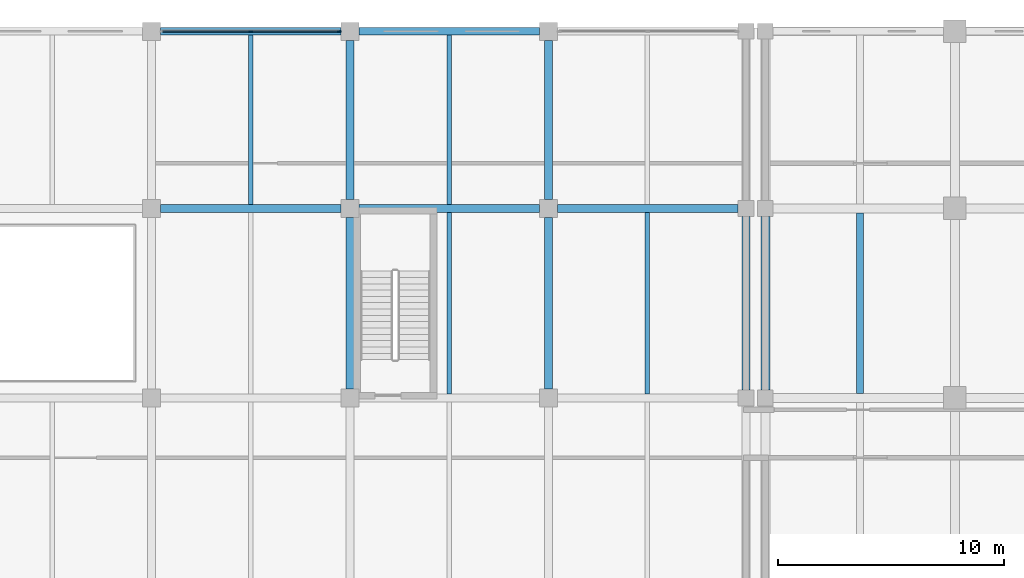
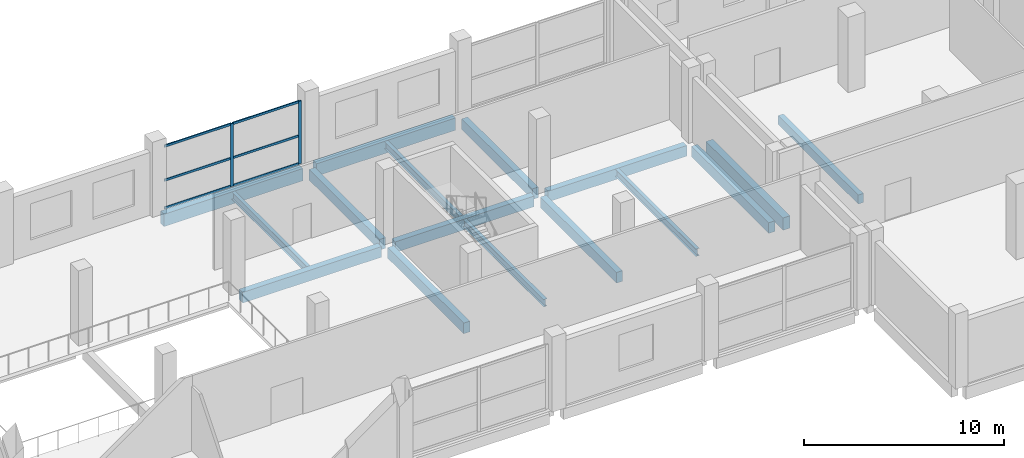
# One storey, part 13 of 31: 16 beams, 8 members, 1 element without a shape of its own.
"""IFC4 building model written with IfcOpenShell, lengths in metres."""

from ifc_helpers import new_model, si_unit, direction, frame, origin, origin_2d, place, context, subcontext, project, spatial, rectangle, i_section, extrude, material, material_profile, profile_set, type_object, element, aggregate, save


model = new_model("IFC4")

# Units and contexts
model_context = context("Model", 3, precision=1e-05, world=origin(), true_north=direction((0.0, 1.0)))
body_context = subcontext(model_context, "Body", "Model", "MODEL_VIEW")
ifc_project = project(units=[si_unit("LENGTHUNIT", "METRE"), si_unit("AREAUNIT", "SQUARE_METRE"), si_unit("VOLUMEUNIT", "CUBIC_METRE"), si_unit("PLANEANGLEUNIT", "RADIAN"), si_unit("MASSUNIT", "GRAM", prefix="KILO")], contexts=[model_context])

# Site, building, storey
site_placement = place(None, origin())
site = spatial("IfcSite", under=ifc_project, at=site_placement, CompositionType="ELEMENT")
building_placement = place(site_placement, origin())
building = spatial("IfcBuilding", under=site, at=building_placement, Name="Brinegate Botanical Conservatory", CompositionType="ELEMENT")
storey_placement = place(building_placement, frame((0.0, 0.0, 5.39990234375)))
storey = spatial("IfcBuildingStorey", under=building, at=storey_placement, Name="L02", CompositionType="ELEMENT", Elevation=5.39990234375)

# Beams
ifc_material_1 = material(Name="Concrete C50/60", Category="concrete")
ifc_material_profile_1 = material_profile(ifc_material_1, rectangle(XDim=0.39990234375, YDim=0.75, at=origin_2d()), Name="RC BM 400x750")
ifc_profile_set_1 = profile_set([ifc_material_profile_1], Name="Concrete C50/60")
beam_type_1 = type_object("IfcBeamType", Name="Beam_BM-T1", PredefinedType="BEAM", material=ifc_profile_set_1)
beam_1_placement = place(storey_placement, frame((122.0, 95.550048828125, -0.594970703125), z_axis=(0.0, 1.0, 0.0), x_axis=(-1.0, 0.0, 0.0)))
element("IfcBeam", 1, at=beam_1_placement, inside=storey, type_object=beam_type_1, Name="Beam BM-T1 L02 16:M-N", PredefinedType="BEAM", context=body_context, shape_type="SweptSolid", body=[
    extrude(rectangle(XDim=0.39990234375, YDim=0.75, at=origin_2d()), origin(), (0.0, 0.0, 1.0), 7.699951171875),
])
ifc_material_2 = material(Name="Concrete C40/50", Category="concrete")
ifc_material_profile_2 = material_profile(ifc_material_2, rectangle(XDim=0.35009765625, YDim=0.64990234375, at=origin_2d()), Name="RC BM 350x650")
ifc_profile_set_2 = profile_set([ifc_material_profile_2], Name="Concrete C40/50")
beam_type_2 = type_object("IfcBeamType", Name="Beam_BM-V3", PredefinedType="BEAM", material=ifc_profile_set_2)
for number, where, z_axis, x_axis, name in (
    (2, (95.199951171875, 103.60009765625, -0.544921875), (1.0, 0.0, 0.0), (0.0, 1.0, 0.0), "Beam BM-V3 L02 N:12-13"),
    (3, (104.0, 103.60009765625, -0.544921875), (1.0, 0.0, 0.0), (0.0, 1.0, 0.0), "Beam BM-V3 L02 N:13-14"),
    (4, (112.800048828125, 103.60009765625, -0.544921875), (1.0, 0.0, 0.0), (0.0, 1.0, 0.0), "Beam BM-V3 L02 N:14-15"),
):
    element("IfcBeam", number, at=place(storey_placement, frame(where, z_axis=z_axis, x_axis=x_axis)), inside=storey, type_object=beam_type_2, Name=name, PredefinedType="BEAM", context=body_context, shape_type="SweptSolid", body=[
        extrude(rectangle(XDim=0.35009765625, YDim=0.64990234375, at=origin_2d()), origin(), (0.0, 0.0, 1.0), 8.0),
    ])
beam_2_placement = place(storey_placement, frame((103.60009765625, 95.60009765625, -0.544921875), z_axis=(0.0, 1.0, 0.0), x_axis=(-1.0, 0.0, 0.0)))
element("IfcBeam", 5, at=beam_2_placement, inside=storey, type_object=beam_type_2, Name="Beam BM-V3 L02 13:M-N", PredefinedType="BEAM", context=body_context, shape_type="SweptSolid", body=[
    extrude(rectangle(XDim=0.35009765625, YDim=0.64990234375, at=origin_2d()), origin(), (0.0, 0.0, 1.0), 7.599853515625),
])
beam_3_placement = place(storey_placement, frame((103.60009765625, 104.0, -0.544921875), z_axis=(0.0, 1.0, 0.0), x_axis=(-1.0, 0.0, 0.0)))
element("IfcBeam", 6, at=beam_3_placement, inside=storey, type_object=beam_type_2, Name="Beam BM-V3 L02 13:N-P", PredefinedType="BEAM", context=body_context, shape_type="SweptSolid", body=[
    extrude(rectangle(XDim=0.35009765625, YDim=0.64990234375, at=origin_2d()), origin(), (0.0, 0.0, 1.0), 7.050048828125),
])
beam_4_placement = place(storey_placement, frame((112.39990234375, 95.60009765625, -0.544921875), z_axis=(0.0, 1.0, 0.0), x_axis=(-1.0, 0.0, 0.0)))
element("IfcBeam", 7, at=beam_4_placement, inside=storey, type_object=beam_type_2, Name="Beam BM-V3 L02 14:M-N", PredefinedType="BEAM", context=body_context, shape_type="SweptSolid", body=[
    extrude(rectangle(XDim=0.35009765625, YDim=0.64990234375, at=origin_2d()), origin(), (0.0, 0.0, 1.0), 7.599853515625),
])
beam_5_placement = place(storey_placement, frame((112.39990234375, 104.0, -0.544921875), z_axis=(0.0, 1.0, 0.0), x_axis=(-1.0, 0.0, 0.0)))
element("IfcBeam", 8, at=beam_5_placement, inside=storey, type_object=beam_type_2, Name="Beam BM-V3 L02 14:N-P", PredefinedType="BEAM", context=body_context, shape_type="SweptSolid", body=[
    extrude(rectangle(XDim=0.35009765625, YDim=0.64990234375, at=origin_2d()), origin(), (0.0, 0.0, 1.0), 7.050048828125),
])
beam_6_placement = place(storey_placement, frame((121.14990234375, 95.550048828125, -0.544921875), z_axis=(0.0, 1.0, 0.0), x_axis=(-1.0, 0.0, 0.0)))
element("IfcBeam", 9, at=beam_6_placement, inside=storey, type_object=beam_type_2, Name="Beam BM-V3 L02 15:M-N", PredefinedType="BEAM", context=body_context, shape_type="SweptSolid", body=[
    extrude(rectangle(XDim=0.35009765625, YDim=0.64990234375, at=origin_2d()), origin(), (0.0, 0.0, 1.0), 7.699951171875),
])
ifc_material_profile_3 = material_profile(ifc_material_2, rectangle(XDim=0.300048828125, YDim=0.550048828125, at=origin_2d()), Name="RC JST 300x550")
ifc_profile_set_3 = profile_set([ifc_material_profile_3], Name="Concrete C40/50")
beam_type_3 = type_object("IfcBeamType", Name="Beam_JS-C1", PredefinedType="JOIST", material=ifc_profile_set_3)
beam_7_placement = place(storey_placement, frame((126.199951171875, 95.39990234375, -0.494873046875), z_axis=(0.0, 1.0, 0.0), x_axis=(-1.0, 0.0, 0.0)))
element("IfcBeam", 10, at=beam_7_placement, inside=storey, type_object=beam_type_3, Name="Floor joist JS-C1 L02 bay 16.12", PredefinedType="JOIST", context=body_context, shape_type="SweptSolid", body=[
    extrude(rectangle(XDim=0.300048828125, YDim=0.550048828125, at=origin_2d()), origin(), (0.0, 0.0, 1.0), 8.0),
])
ifc_material_3 = material(Name="Structural steel Q355B / S355", Category="steel")
ifc_material_profile_4 = material_profile(ifc_material_3, i_section(OverallWidth=0.199951171875, OverallDepth=0.449951171875, WebThickness=0.009033203125, FlangeThickness=0.013916015625, at=origin_2d()), Name="HN 450x200x9x14")
ifc_profile_set_4 = profile_set([ifc_material_profile_4], Name="Structural steel Q355B / S355")
beam_type_4 = type_object("IfcBeamType", Name="Beam_JS-S1", PredefinedType="JOIST", material=ifc_profile_set_4)
beam_8_placement = place(storey_placement, frame((99.199951171875, 103.77490234375, -0.44482421875), z_axis=(0.0, 1.0, 0.0), x_axis=(-1.0, 0.0, 0.0)))
element("IfcBeam", 11, at=beam_8_placement, inside=storey, type_object=beam_type_4, Name="Floor joist JS-S1 L02 bay 12.13", PredefinedType="JOIST", context=body_context, shape_type="SweptSolid", body=[
    extrude(i_section(OverallWidth=0.199951171875, OverallDepth=0.449951171875, WebThickness=0.009033203125, FlangeThickness=0.013916015625, at=origin_2d()), origin(), (0.0, 0.0, 1.0), 7.5),
])
beam_9_placement = place(storey_placement, frame((108.0, 95.375, -0.44482421875), z_axis=(0.0, 1.0, 0.0), x_axis=(-1.0, 0.0, 0.0)))
element("IfcBeam", 12, at=beam_9_placement, inside=storey, type_object=beam_type_4, Name="Floor joist JS-S1 L02 bay 13.12", PredefinedType="JOIST", context=body_context, shape_type="SweptSolid", body=[
    extrude(i_section(OverallWidth=0.199951171875, OverallDepth=0.449951171875, WebThickness=0.009033203125, FlangeThickness=0.013916015625, at=origin_2d()), origin(), (0.0, 0.0, 1.0), 8.050048828125),
])
beam_10_placement = place(storey_placement, frame((108.0, 103.77490234375, -0.44482421875), z_axis=(0.0, 1.0, 0.0), x_axis=(-1.0, 0.0, 0.0)))
element("IfcBeam", 13, at=beam_10_placement, inside=storey, type_object=beam_type_4, Name="Floor joist JS-S1 L02 bay 13.13", PredefinedType="JOIST", context=body_context, shape_type="SweptSolid", body=[
    extrude(i_section(OverallWidth=0.199951171875, OverallDepth=0.449951171875, WebThickness=0.009033203125, FlangeThickness=0.013916015625, at=origin_2d()), origin(), (0.0, 0.0, 1.0), 7.5),
])
beam_11_placement = place(storey_placement, frame((116.77490234375, 95.375, -0.44482421875), z_axis=(0.0, 1.0, 0.0), x_axis=(-1.0, 0.0, 0.0)))
element("IfcBeam", 14, at=beam_11_placement, inside=storey, type_object=beam_type_4, Name="Floor joist JS-S1 L02 bay 14.12", PredefinedType="JOIST", context=body_context, shape_type="SweptSolid", body=[
    extrude(i_section(OverallWidth=0.199951171875, OverallDepth=0.449951171875, WebThickness=0.009033203125, FlangeThickness=0.013916015625, at=origin_2d()), origin(), (0.0, 0.0, 1.0), 8.050048828125),
])
ifc_material_profile_5 = material_profile(ifc_material_2, rectangle(XDim=0.35009765625, YDim=0.75, at=origin_2d()), Name="RC SPN 350x750")
ifc_profile_set_5 = profile_set([ifc_material_profile_5], Name="Concrete C40/50")
beam_type_5 = type_object("IfcBeamType", Name="Beam_SP-01", PredefinedType="SPANDREL", material=ifc_profile_set_5)
for number, where, z_axis, x_axis, name in (
    (15, (95.199951171875, 111.449951171875, -0.594970703125), (1.0, 0.0, 0.0), (0.0, 1.0, 0.0), "Beam SP-01 L02 P:12-13"),
    (16, (104.0, 111.449951171875, -0.594970703125), (1.0, 0.0, 0.0), (0.0, 1.0, 0.0), "Beam SP-01 L02 P:13-14"),
):
    element("IfcBeam", number, at=place(storey_placement, frame(where, z_axis=z_axis, x_axis=x_axis)), inside=storey, type_object=beam_type_5, Name=name, PredefinedType="SPANDREL", context=body_context, shape_type="SweptSolid", body=[
        extrude(rectangle(XDim=0.35009765625, YDim=0.75, at=origin_2d()), origin(), (0.0, 0.0, 1.0), 8.0),
    ])

# Curtain wall, members
ifc_material_4 = material(Name="Thermally broken anodised aluminium AW-6063-T6", Category="aluminium")
curtain_wall_type = type_object("IfcCurtainWallType", Name="CW_CW-V3", PredefinedType="USERDEFINED", material=ifc_material_4)
curtain_wall_placement = place(storey_placement, origin())
curtain_wall = element("IfcCurtainWall", 17, at=curtain_wall_placement, inside=storey, type_object=curtain_wall_type, Name="Visitor north factory curtain wall L02.6", ObjectType="FACTORY CURTAIN WALL", PredefinedType="USERDEFINED")
ifc_material_profile_6 = material_profile(ifc_material_4, rectangle(XDim=0.06494140625, YDim=0.179931640625, at=origin_2d()), Name="ALUM MULLION 65x180")
ifc_profile_set_6 = profile_set([ifc_material_profile_6], Name="Thermally broken anodised aluminium AW-6063-T6")
member_type_1 = type_object("IfcMemberType", Name="Member_ML-02", PredefinedType="MULLION", material=ifc_profile_set_6)
member_1_placement = place(storey_placement, frame((99.199951171875, 111.449951171875, 0.0), z_axis=(0.0, 0.0, 1.0), x_axis=(0.0, 1.0, 0.0)))
member_1 = element("IfcMember", 18, at=member_1_placement, type_object=member_type_1, Name="CW-V3 mullion 2", PredefinedType="MULLION", context=body_context, shape_type="SweptSolid", body=[
    extrude(rectangle(XDim=0.06494140625, YDim=0.179931640625, at=origin_2d()), origin(), (0.0, 0.0, 1.0), 3.830078125),
])
member_2_placement = place(storey_placement, frame((103.12744140625, 111.449951171875, 0.0), z_axis=(0.0, 0.0, 1.0), x_axis=(0.0, 1.0, 0.0)))
member_2 = element("IfcMember", 19, at=member_2_placement, type_object=member_type_1, Name="CW-V3 mullion 3", PredefinedType="MULLION", context=body_context, shape_type="SweptSolid", body=[
    extrude(rectangle(XDim=0.06494140625, YDim=0.179931640625, at=origin_2d()), origin(), (0.0, 0.0, 1.0), 3.830078125),
])
ifc_material_profile_7 = material_profile(ifc_material_4, rectangle(XDim=0.06494140625, YDim=0.135009765625, at=origin_2d()), Name="ALUM TRANSOM 65x135")
ifc_profile_set_7 = profile_set([ifc_material_profile_7], Name="Thermally broken anodised aluminium AW-6063-T6")
member_type_2 = type_object("IfcMemberType", Name="Member_TR-02", PredefinedType="USERDEFINED", material=ifc_profile_set_7)
member_3_placement = place(storey_placement, frame((95.304931640625, 111.449951171875, 0.03271484375), z_axis=(1.0, 0.0, 0.0), x_axis=(0.0, 1.0, 0.0)))
member_3 = element("IfcMember", 20, at=member_3_placement, type_object=member_type_2, Name="CW-V3 transom 1.1", ObjectType="TRANSOM", PredefinedType="USERDEFINED", context=body_context, shape_type="SweptSolid", body=[
    extrude(rectangle(XDim=0.06494140625, YDim=0.135009765625, at=origin_2d()), origin(), (0.0, 0.0, 1.0), 3.862548828125),
])
member_4_placement = place(storey_placement, frame((95.304931640625, 111.449951171875, 1.72314453125), z_axis=(1.0, 0.0, 0.0), x_axis=(0.0, 1.0, 0.0)))
member_4 = element("IfcMember", 21, at=member_4_placement, type_object=member_type_2, Name="CW-V3 transom 1.2", ObjectType="TRANSOM", PredefinedType="USERDEFINED", context=body_context, shape_type="SweptSolid", body=[
    extrude(rectangle(XDim=0.06494140625, YDim=0.135009765625, at=origin_2d()), origin(), (0.0, 0.0, 1.0), 3.862548828125),
])
member_5_placement = place(storey_placement, frame((95.304931640625, 111.449951171875, 3.797607421875), z_axis=(1.0, 0.0, 0.0), x_axis=(0.0, 1.0, 0.0)))
member_5 = element("IfcMember", 22, at=member_5_placement, type_object=member_type_2, Name="CW-V3 transom 1.3", ObjectType="TRANSOM", PredefinedType="USERDEFINED", context=body_context, shape_type="SweptSolid", body=[
    extrude(rectangle(XDim=0.06494140625, YDim=0.135009765625, at=origin_2d()), origin(), (0.0, 0.0, 1.0), 3.862548828125),
])
member_6_placement = place(storey_placement, frame((99.232421875, 111.449951171875, 0.03271484375), z_axis=(1.0, 0.0, 0.0), x_axis=(0.0, 1.0, 0.0)))
member_6 = element("IfcMember", 23, at=member_6_placement, type_object=member_type_2, Name="CW-V3 transom 2.1", ObjectType="TRANSOM", PredefinedType="USERDEFINED", context=body_context, shape_type="SweptSolid", body=[
    extrude(rectangle(XDim=0.06494140625, YDim=0.135009765625, at=origin_2d()), origin(), (0.0, 0.0, 1.0), 3.862548828125),
])
member_7_placement = place(storey_placement, frame((99.232421875, 111.449951171875, 1.72314453125), z_axis=(1.0, 0.0, 0.0), x_axis=(0.0, 1.0, 0.0)))
member_7 = element("IfcMember", 24, at=member_7_placement, type_object=member_type_2, Name="CW-V3 transom 2.2", ObjectType="TRANSOM", PredefinedType="USERDEFINED", context=body_context, shape_type="SweptSolid", body=[
    extrude(rectangle(XDim=0.06494140625, YDim=0.135009765625, at=origin_2d()), origin(), (0.0, 0.0, 1.0), 3.862548828125),
])
member_8_placement = place(storey_placement, frame((99.232421875, 111.449951171875, 3.797607421875), z_axis=(1.0, 0.0, 0.0), x_axis=(0.0, 1.0, 0.0)))
member_8 = element("IfcMember", 25, at=member_8_placement, type_object=member_type_2, Name="CW-V3 transom 2.3", ObjectType="TRANSOM", PredefinedType="USERDEFINED", context=body_context, shape_type="SweptSolid", body=[
    extrude(rectangle(XDim=0.06494140625, YDim=0.135009765625, at=origin_2d()), origin(), (0.0, 0.0, 1.0), 3.862548828125),
])
aggregate(curtain_wall, [member_1, member_2, member_3, member_4, member_5, member_6, member_7, member_8])

save(model, "model.ifc")
